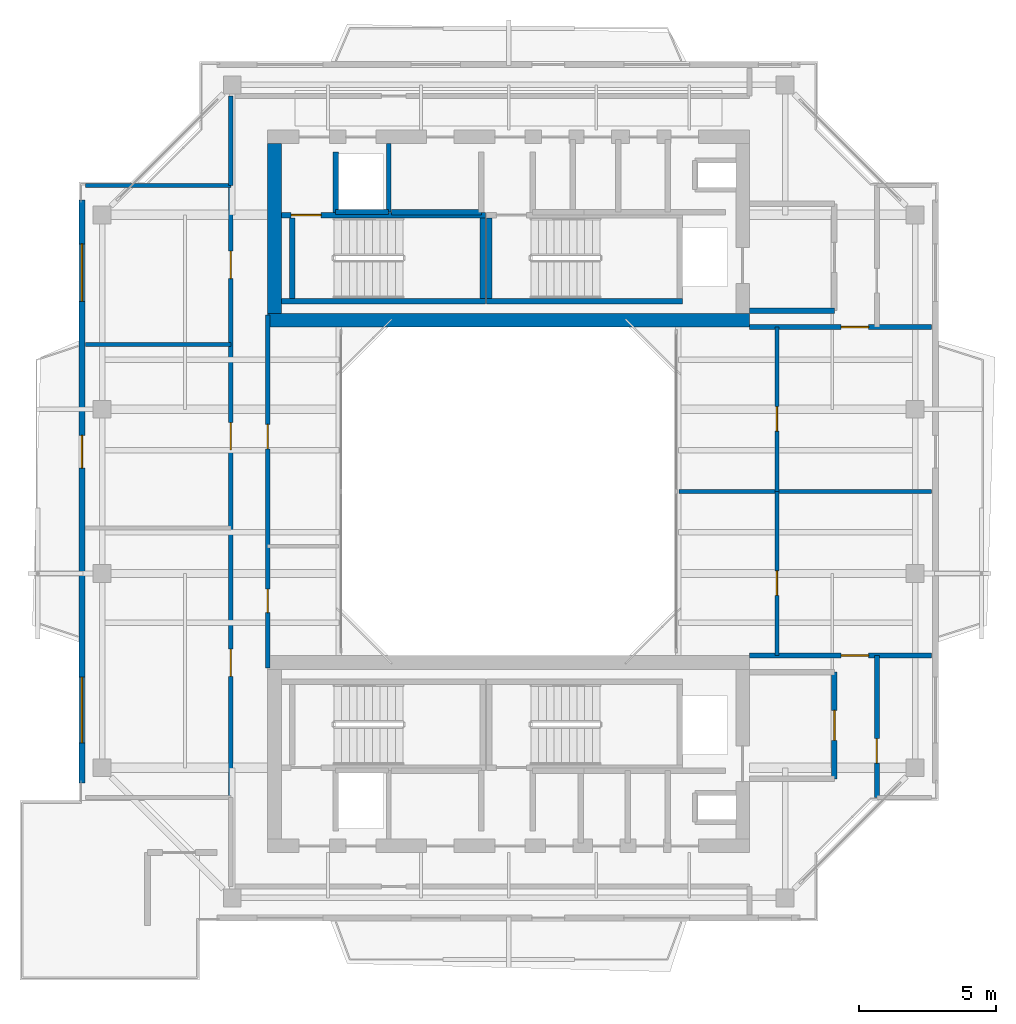
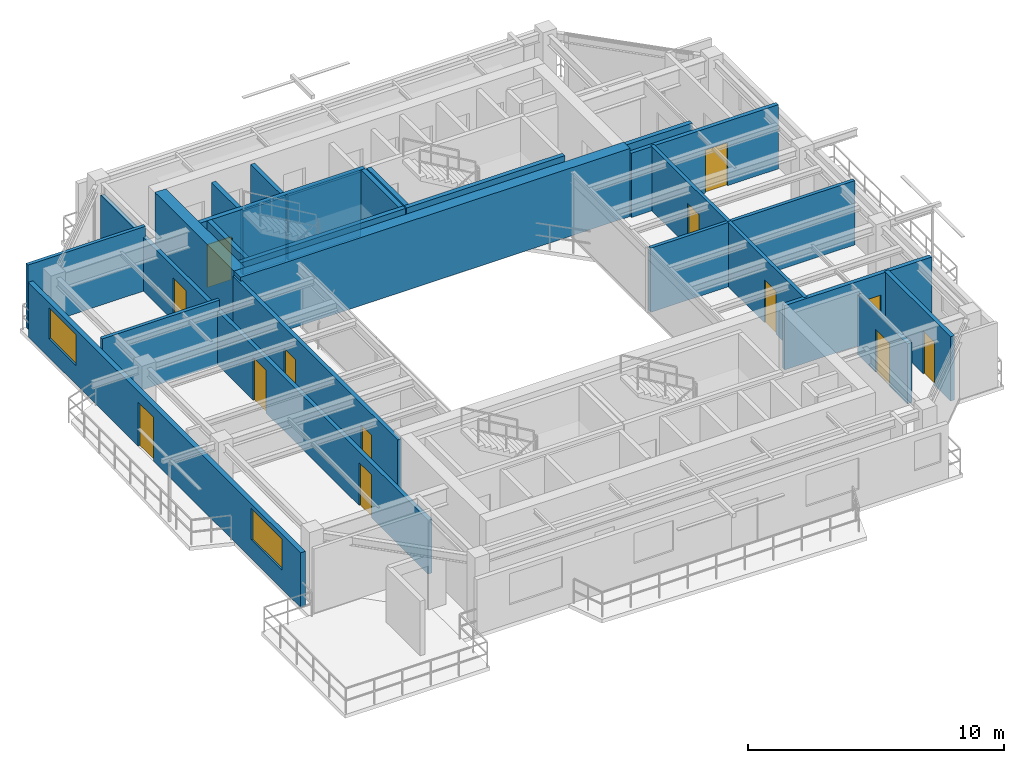
# One storey, part 9 of 14: 26 walls, 13 doors, 2 windows, 15 openings.
"""IFC4 building model written with IfcOpenShell, lengths in metres."""

from ifc_helpers import new_model, si_unit, direction, frame, frame_2d, origin, place, context, subcontext, project, spatial, rectangle, extrude, source, transform, mapped, material, layer, layer_set, type_object, element, fill, save


model = new_model("IFC4")

# Units and contexts
model_context = context("Model", 3, precision=1e-05, world=origin(), true_north=direction((0.0, 1.0)))
body_context = subcontext(model_context, "Body", "Model", "MODEL_VIEW")
ifc_project = project(units=[si_unit("LENGTHUNIT", "METRE"), si_unit("AREAUNIT", "SQUARE_METRE"), si_unit("VOLUMEUNIT", "CUBIC_METRE"), si_unit("PLANEANGLEUNIT", "RADIAN"), si_unit("MASSUNIT", "GRAM", prefix="KILO"), si_unit("THERMODYNAMICTEMPERATUREUNIT", "KELVIN"), si_unit("POWERUNIT", "WATT")], contexts=[model_context])

# Site, building, storey
site_placement = place(None, origin())
site = spatial("IfcSite", under=ifc_project, at=site_placement, CompositionType="ELEMENT")
building_placement = place(site_placement, origin())
building = spatial("IfcBuilding", under=site, at=building_placement, Name="Qiaomeng Ring Towers", CompositionType="ELEMENT")
storey_placement = place(building_placement, frame((0.0, 0.0, 243.75)))
storey = spatial("IfcBuildingStorey", under=building, at=storey_placement, Name="L71", CompositionType="ELEMENT", Elevation=243.75)

# Wall, openings, windows, door
ifc_material_1 = material(Name="Precast concrete C40", Category="concrete")
ifc_layer_1 = layer(ifc_material_1, 0.219970703125, Name="Precast concrete C40")
ifc_layer_set_1 = layer_set([ifc_layer_1], Name="Precast concrete C40")
wall_type_1 = type_object("IfcWallType", Name="ARC-WL-EW2", PredefinedType="STANDARD", material=ifc_layer_set_1)
wall_1_placement = place(storey_placement, frame((3.409912109375, 12.35009765625, 0.0), z_axis=(0.0, 0.0, 1.0), x_axis=(0.0, 1.0, 0.0)))
wall_1 = element("IfcWall", 1, at=wall_1_placement, inside=storey, type_object=wall_type_1, Name="L71 Tower 1 W Exterior Wall", PredefinedType="STANDARD", context=body_context, shape_type="SweptSolid", body=[
    extrude(rectangle(XDim=21.2998046875, YDim=0.219970703125, at=frame_2d((10.64990234375, 0.0))), origin(), (0.0, 0.0, 1.0), 2.610107421875),
])
opening_1_placement = place(wall_1_placement, frame((11.5, 0.0, 0.0)))
opening_1 = element("IfcOpeningElement", 2, at=opening_1_placement, cuts=wall_1, Name="Opening BD1", PredefinedType="OPENING", context=body_context, shape_type="SweptSolid", body=[
    extrude(rectangle(XDim=1.199951171875, YDim=2.10009765625, at=frame_2d((0.60009765625, 1.050048828125))), frame((0.0, 0.119873046875, 0.0), z_axis=(0.0, -1.0, 0.0), x_axis=(1.0, 0.0, 0.0)), (0.0, 0.0, 1.0), 0.239990234375),
])
opening_2_placement = place(wall_1_placement, frame((1.462890625, 0.0, 0.89990234375)))
opening_2 = element("IfcOpeningElement", 3, at=opening_2_placement, cuts=wall_1, Name="Opening WN6", PredefinedType="OPENING", context=body_context, shape_type="SweptSolid", body=[
    extrude(rectangle(XDim=2.39990234375, YDim=1.47998046875, at=frame_2d((1.199951171875, 0.739990234375))), frame((0.0, 0.119873046875, 0.0), z_axis=(0.0, -1.0, 0.0), x_axis=(1.0, 0.0, 0.0)), (0.0, 0.0, 1.0), 0.239990234375),
])
opening_3_placement = place(wall_1_placement, frame((17.587890625, 0.0, 0.89990234375)))
opening_3 = element("IfcOpeningElement", 4, at=opening_3_placement, cuts=wall_1, Name="Opening WN4", PredefinedType="OPENING", context=body_context, shape_type="SweptSolid", body=[
    extrude(rectangle(XDim=2.10009765625, YDim=1.47998046875, at=frame_2d((1.050048828125, 0.739990234375))), frame((0.0, 0.119873046875, 0.0), z_axis=(0.0, -1.0, 0.0), x_axis=(1.0, 0.0, 0.0)), (0.0, 0.0, 1.0), 0.239990234375),
])
ifc_material_2 = material(Name="Low-E dark-grey laminated double glazing", Category="glass")
window_type_1 = type_object("IfcWindowType", Name="ARC-WN-4", PartitioningType="TRIPLE_PANEL_VERTICAL", PredefinedType="WINDOW", material=ifc_material_2)
shared_shape_1 = source(origin(), body_context, "Body", "SweptSolid", [
    extrude(rectangle(XDim=2.10009765625, YDim=1.47998046875, at=frame_2d((1.050048828125, 0.739990234375))), frame((0.0, 0.030029296875, 0.0), z_axis=(0.0, -1.0, 0.0), x_axis=(1.0, 0.0, 0.0)), (0.0, 0.0, 1.0), 0.06005859375),
])
window_1_placement = place(opening_3_placement, origin())
window_1 = element("IfcWindow", 5, at=window_1_placement, inside=storey, type_object=window_type_1, Name="L71 Exterior Window WN4", OverallHeight=1.47998046875, OverallWidth=2.10009765625, PartitioningType="TRIPLE_PANEL_VERTICAL", PredefinedType="WINDOW", context=body_context, shape_type="MappedRepresentation", body=[
    mapped(shared_shape_1, transform((0.0, 0.0, 0.0), x_axis=(1.0, 0.0, 0.0), y_axis=(0.0, 1.0, 0.0), z_axis=(0.0, 0.0, 1.0), scale=1.0)),
])
fill(opening_3, window_1)
window_type_2 = type_object("IfcWindowType", Name="ARC-WN-6", PartitioningType="TRIPLE_PANEL_VERTICAL", PredefinedType="WINDOW", material=ifc_material_2)
shared_shape_2 = source(origin(), body_context, "Body", "SweptSolid", [
    extrude(rectangle(XDim=2.39990234375, YDim=1.47998046875, at=frame_2d((1.199951171875, 0.739990234375))), frame((0.0, 0.030029296875, 0.0), z_axis=(0.0, -1.0, 0.0), x_axis=(1.0, 0.0, 0.0)), (0.0, 0.0, 1.0), 0.06005859375),
])
window_2_placement = place(opening_2_placement, origin())
window_2 = element("IfcWindow", 6, at=window_2_placement, inside=storey, type_object=window_type_2, Name="L71 Exterior Window WN6", OverallHeight=1.47998046875, OverallWidth=2.39990234375, PartitioningType="TRIPLE_PANEL_VERTICAL", PredefinedType="WINDOW", context=body_context, shape_type="MappedRepresentation", body=[
    mapped(shared_shape_2, transform((0.0, 0.0, 0.0), x_axis=(1.0, 0.0, 0.0), y_axis=(0.0, 1.0, 0.0), z_axis=(0.0, 0.0, 1.0), scale=1.0)),
])
fill(opening_2, window_2)
door_type_1 = type_object("IfcDoorType", Name="ARC-DR-BD1", OperationType="NOTDEFINED", PredefinedType="DOOR", material=ifc_material_2)
shared_shape_3 = source(origin(), body_context, "Body", "SweptSolid", [
    extrude(rectangle(XDim=1.199951171875, YDim=2.10009765625, at=frame_2d((0.60009765625, 1.050048828125))), frame((0.0, 0.02490234375, 0.0), z_axis=(0.0, -1.0, 0.0), x_axis=(1.0, 0.0, 0.0)), (0.0, 0.0, 1.0), 0.050048828125),
])
door_1_placement = place(opening_1_placement, frame((1.199951171875, 0.0, 0.0), z_axis=(0.0, 0.0, 1.0), x_axis=(-1.0, 0.0, 0.0)))
door_1 = element("IfcDoor", 7, at=door_1_placement, inside=storey, type_object=door_type_1, Name="L71 W Balcony Glazed Door", OperationType="SINGLE_SWING_LEFT", OverallHeight=2.10009765625, OverallWidth=1.199951171875, PredefinedType="DOOR", context=body_context, shape_type="MappedRepresentation", body=[
    mapped(shared_shape_3, transform((0.0, 0.0, 0.0), x_axis=(1.0, 0.0, 0.0), y_axis=(0.0, 1.0, 0.0), z_axis=(0.0, 0.0, 1.0), scale=1.0)),
])
fill(opening_1, door_1)

# Wall
ifc_material_3 = material(Name="Autoclaved aerated concrete block", Category="concrete")
ifc_layer_2 = layer(ifc_material_3, 0.199951171875, Name="Autoclaved aerated concrete block")
ifc_layer_set_2 = layer_set([ifc_layer_2], Name="Autoclaved aerated concrete block")
wall_type_2 = type_object("IfcWallType", Name="ARC-WL-PW1", PredefinedType="PARTITIONING", material=ifc_layer_set_2)
wall_2_placement = place(storey_placement, frame((27.800048828125, 29.60009765625, 0.0), z_axis=(0.0, 0.0, 1.0), x_axis=(1.0, 0.0, 0.0)))
element("IfcWall", 8, at=wall_2_placement, inside=storey, type_object=wall_type_2, Name="L71 Interior Wall PW1", PredefinedType="PARTITIONING", context=body_context, shape_type="SweptSolid", body=[
    extrude(rectangle(XDim=3.099853515625, YDim=0.199951171875, at=frame_2d((1.5498046875, 0.0))), origin(), (0.0, 0.0, 1.0), 3.070068359375),
])

# Wall, opening, door
wall_3_placement = place(storey_placement, frame((30.89990234375, 12.5, 0.0), z_axis=(0.0, 0.0, 1.0), x_axis=(0.0, 1.0, 0.0)))
wall_3 = element("IfcWall", 9, at=wall_3_placement, inside=storey, type_object=wall_type_2, Name="L71 Interior Wall PW1", PredefinedType="PARTITIONING", context=body_context, shape_type="SweptSolid", body=[
    extrude(rectangle(XDim=3.89990234375, YDim=0.199951171875, at=frame_2d((1.949951171875, 0.0))), origin(), (0.0, 0.0, 1.0), 2.864990234375),
])
opening_4_placement = place(wall_3_placement, frame((1.39990234375, 0.0, 0.0)))
opening_4 = element("IfcOpeningElement", 10, at=opening_4_placement, cuts=wall_3, Name="Opening FD3", PredefinedType="OPENING", context=body_context, shape_type="SweptSolid", body=[
    extrude(rectangle(XDim=1.10009765625, YDim=2.050048828125, at=frame_2d((0.550048828125, 1.02490234375))), frame((0.0, 0.10986328125, 0.0), z_axis=(0.0, -1.0, 0.0), x_axis=(1.0, 0.0, 0.0)), (0.0, 0.0, 1.0), 0.219970703125),
])
ifc_material_4 = material(Name="Galvanised steel", Category="steel")
door_type_2 = type_object("IfcDoorType", Name="ARC-DR-FD3", OperationType="NOTDEFINED", PredefinedType="DOOR", material=ifc_material_4)
shared_shape_4 = source(origin(), body_context, "Body", "SweptSolid", [
    extrude(rectangle(XDim=1.10009765625, YDim=2.050048828125, at=frame_2d((0.550048828125, 1.02490234375))), frame((0.0, 0.02490234375, 0.0), z_axis=(0.0, -1.0, 0.0), x_axis=(1.0, 0.0, 0.0)), (0.0, 0.0, 1.0), 0.050048828125),
])
door_2_placement = place(opening_4_placement, origin())
door_2 = element("IfcDoor", 11, at=door_2_placement, inside=storey, type_object=door_type_2, Name="L71 South FF Lobby Door", OperationType="SINGLE_SWING_LEFT", OverallHeight=2.050048828125, OverallWidth=1.10009765625, PredefinedType="DOOR", context=body_context, shape_type="MappedRepresentation", body=[
    mapped(shared_shape_4, transform((0.0, 0.0, 0.0), x_axis=(1.0, 0.0, 0.0), y_axis=(0.0, 1.0, 0.0), z_axis=(0.0, 0.0, 1.0), scale=1.0)),
])
fill(opening_4, door_2)

# Walls
wall_4_placement = place(storey_placement, frame((12.679931640625, 33.18994140625, 0.0), z_axis=(0.0, 0.0, 1.0), x_axis=(0.0, 1.0, 0.0)))
element("IfcWall", 12, at=wall_4_placement, inside=storey, type_object=wall_type_2, Name="L71 Interior Wall PW1", PredefinedType="PARTITIONING", context=body_context, shape_type="SweptSolid", body=[
    extrude(rectangle(XDim=2.2099609375, YDim=0.199951171875, at=frame_2d((1.10498046875, 0.0))), origin(), (0.0, 0.0, 1.0), 3.070068359375),
])
wall_5_placement = place(storey_placement, frame((14.719970703125, 33.199951171875, 0.0), z_axis=(0.0, 0.0, 1.0), x_axis=(1.0, 0.0, 0.0)))
element("IfcWall", 13, at=wall_5_placement, inside=storey, type_object=wall_type_2, Name="L71 Interior Wall PW1", PredefinedType="PARTITIONING", context=body_context, shape_type="SweptSolid", body=[
    extrude(rectangle(XDim=3.280029296875, YDim=0.199951171875, at=frame_2d((1.64013671875, 0.0))), origin(), (0.0, 0.0, 1.0), 3.070068359375),
])
ifc_layer_3 = layer(ifc_material_3, 0.179931640625, Name="Autoclaved aerated concrete block")
ifc_layer_set_3 = layer_set([ifc_layer_3], Name="Autoclaved aerated concrete block")
wall_type_3 = type_object("IfcWallType", Name="ARC-WL-PW2", PredefinedType="PARTITIONING", material=ifc_layer_set_3)
wall_6_placement = place(storey_placement, frame((8.85009765625, 34.179931640625, 0.0), z_axis=(0.0, 0.0, 1.0), x_axis=(0.0, 1.0, 0.0)))
element("IfcWall", 14, at=wall_6_placement, inside=storey, type_object=wall_type_3, Name="L71 Interior Wall PW2", PredefinedType="PARTITIONING", context=body_context, shape_type="SweptSolid", body=[
    extrude(rectangle(XDim=3.260009765625, YDim=0.179931640625, at=frame_2d((1.6298828125, 0.0))), origin(), (0.0, 0.0, 1.0), 2.569091796875),
])

# Wall, openings, doors
wall_7_placement = place(storey_placement, frame((8.85009765625, 11.820068359375, 0.0), z_axis=(0.0, 0.0, 1.0), x_axis=(0.0, 1.0, 0.0)))
wall_7 = element("IfcWall", 15, at=wall_7_placement, inside=storey, type_object=wall_type_3, Name="L71 Interior Wall PW2", PredefinedType="PARTITIONING", context=body_context, shape_type="SweptSolid", body=[
    extrude(rectangle(XDim=22.35986328125, YDim=0.179931640625, at=frame_2d((11.179931640625, 0.0))), origin(), (0.0, 0.0, 1.0), 2.569091796875),
])
opening_5_placement = place(wall_7_placement, frame((4.419921875, 0.0, 0.0)))
opening_5 = element("IfcOpeningElement", 16, at=opening_5_placement, cuts=wall_7, Name="Opening FD4", PredefinedType="OPENING", context=body_context, shape_type="SweptSolid", body=[
    extrude(rectangle(XDim=1.0, YDim=2.050048828125, at=frame_2d((0.5, 1.02490234375))), frame((0.0, 0.099853515625, 0.0), z_axis=(0.0, -1.0, 0.0), x_axis=(1.0, 0.0, 0.0)), (0.0, 0.0, 1.0), 0.199951171875),
])
opening_6_placement = place(wall_7_placement, frame((12.695068359375, 0.0, 0.0)))
opening_6 = element("IfcOpeningElement", 17, at=opening_6_placement, cuts=wall_7, Name="Opening FD4", PredefinedType="OPENING", context=body_context, shape_type="SweptSolid", body=[
    extrude(rectangle(XDim=1.0, YDim=2.050048828125, at=frame_2d((0.5, 1.02490234375))), frame((0.0, 0.099853515625, 0.0), z_axis=(0.0, -1.0, 0.0), x_axis=(1.0, 0.0, 0.0)), (0.0, 0.0, 1.0), 0.199951171875),
])
opening_7_placement = place(wall_7_placement, frame((18.955078125, 0.0, 0.0)))
opening_7 = element("IfcOpeningElement", 18, at=opening_7_placement, cuts=wall_7, Name="Opening FD4", PredefinedType="OPENING", context=body_context, shape_type="SweptSolid", body=[
    extrude(rectangle(XDim=1.0, YDim=2.050048828125, at=frame_2d((0.5, 1.02490234375))), frame((0.0, 0.099853515625, 0.0), z_axis=(0.0, -1.0, 0.0), x_axis=(1.0, 0.0, 0.0)), (0.0, 0.0, 1.0), 0.199951171875),
])
ifc_material_5 = material(Name="Engineered fire-rated oak timber", Category="wood")
door_type_3 = type_object("IfcDoorType", Name="ARC-DR-FD4", OperationType="NOTDEFINED", PredefinedType="DOOR", material=ifc_material_5)
shared_shape_5 = source(origin(), body_context, "Body", "SweptSolid", [
    extrude(rectangle(XDim=1.0, YDim=2.050048828125, at=frame_2d((0.5, 1.02490234375))), frame((0.0, 0.02490234375, 0.0), z_axis=(0.0, -1.0, 0.0), x_axis=(1.0, 0.0, 0.0)), (0.0, 0.0, 1.0), 0.050048828125),
])
door_3_placement = place(opening_5_placement, origin())
door_3 = element("IfcDoor", 19, at=door_3_placement, inside=storey, type_object=door_type_3, Name="L71 Door FD4", OperationType="SINGLE_SWING_RIGHT", OverallHeight=2.050048828125, OverallWidth=1.0, PredefinedType="DOOR", context=body_context, shape_type="MappedRepresentation", body=[
    mapped(shared_shape_5, transform((0.0, 0.0, 0.0), x_axis=(1.0, 0.0, 0.0), y_axis=(0.0, 1.0, 0.0), z_axis=(0.0, 0.0, 1.0), scale=1.0)),
])
fill(opening_5, door_3)
door_4_placement = place(opening_6_placement, origin())
door_4 = element("IfcDoor", 20, at=door_4_placement, inside=storey, type_object=door_type_3, Name="L71 Door FD4", OperationType="SINGLE_SWING_LEFT", OverallHeight=2.050048828125, OverallWidth=1.0, PredefinedType="DOOR", context=body_context, shape_type="MappedRepresentation", body=[
    mapped(shared_shape_5, transform((0.0, 0.0, 0.0), x_axis=(1.0, 0.0, 0.0), y_axis=(0.0, 1.0, 0.0), z_axis=(0.0, 0.0, 1.0), scale=1.0)),
])
fill(opening_6, door_4)
door_5_placement = place(opening_7_placement, origin())
door_5 = element("IfcDoor", 21, at=door_5_placement, inside=storey, type_object=door_type_3, Name="L71 Door FD4", OperationType="SINGLE_SWING_RIGHT", OverallHeight=2.050048828125, OverallWidth=1.0, PredefinedType="DOOR", context=body_context, shape_type="MappedRepresentation", body=[
    mapped(shared_shape_5, transform((0.0, 0.0, 0.0), x_axis=(1.0, 0.0, 0.0), y_axis=(0.0, 1.0, 0.0), z_axis=(0.0, 0.0, 1.0), scale=1.0)),
])
fill(opening_7, door_5)

wall_8_placement = place(storey_placement, frame((10.199951171875, 16.550048828125, 0.0), z_axis=(0.0, 0.0, 1.0), x_axis=(0.0, 1.0, 0.0)))
wall_8 = element("IfcWall", 22, at=wall_8_placement, inside=storey, type_object=wall_type_3, Name="L71 Interior Wall PW2", PredefinedType="PARTITIONING", context=body_context, shape_type="SweptSolid", body=[
    extrude(rectangle(XDim=12.89990234375, YDim=0.179931640625, at=frame_2d((6.449951171875, 0.0))), origin(), (0.0, 0.0, 1.0), 3.070068359375),
])
opening_8_placement = place(wall_8_placement, frame((2.02490234375, 0.0, 0.0)))
opening_8 = element("IfcOpeningElement", 23, at=opening_8_placement, cuts=wall_8, Name="Opening ID2", PredefinedType="OPENING", context=body_context, shape_type="SweptSolid", body=[
    extrude(rectangle(XDim=0.85009765625, YDim=2.050048828125, at=frame_2d((0.425048828125, 1.02490234375))), frame((0.0, 0.099853515625, 0.0), z_axis=(0.0, -1.0, 0.0), x_axis=(1.0, 0.0, 0.0)), (0.0, 0.0, 1.0), 0.199951171875),
])
opening_9_placement = place(wall_8_placement, frame((8.0, 0.0, 0.0)))
opening_9 = element("IfcOpeningElement", 24, at=opening_9_placement, cuts=wall_8, Name="Opening ID1", PredefinedType="OPENING", context=body_context, shape_type="SweptSolid", body=[
    extrude(rectangle(XDim=0.89990234375, YDim=2.050048828125, at=frame_2d((0.449951171875, 1.02490234375))), frame((0.0, 0.099853515625, 0.0), z_axis=(0.0, -1.0, 0.0), x_axis=(1.0, 0.0, 0.0)), (0.0, 0.0, 1.0), 0.199951171875),
])
ifc_material_6 = material(Name="Moisture-resistant engineered timber", Category="wood")
door_type_4 = type_object("IfcDoorType", Name="ARC-DR-ID2", OperationType="NOTDEFINED", PredefinedType="DOOR", material=ifc_material_6)
shared_shape_6 = source(origin(), body_context, "Body", "SweptSolid", [
    extrude(rectangle(XDim=0.85009765625, YDim=2.050048828125, at=frame_2d((0.425048828125, 1.02490234375))), frame((0.0, 0.02490234375, 0.0), z_axis=(0.0, -1.0, 0.0), x_axis=(1.0, 0.0, 0.0)), (0.0, 0.0, 1.0), 0.050048828125),
])
door_6_placement = place(opening_8_placement, origin())
door_6 = element("IfcDoor", 25, at=door_6_placement, inside=storey, type_object=door_type_4, Name="L71 Door ID2", OperationType="SINGLE_SWING_LEFT", OverallHeight=2.050048828125, OverallWidth=0.85009765625, PredefinedType="DOOR", context=body_context, shape_type="MappedRepresentation", body=[
    mapped(shared_shape_6, transform((0.0, 0.0, 0.0), x_axis=(1.0, 0.0, 0.0), y_axis=(0.0, 1.0, 0.0), z_axis=(0.0, 0.0, 1.0), scale=1.0)),
])
fill(opening_8, door_6)
ifc_material_7 = material(Name="Engineered oak timber", Category="wood")
door_type_5 = type_object("IfcDoorType", Name="ARC-DR-ID1", OperationType="NOTDEFINED", PredefinedType="DOOR", material=ifc_material_7)
shared_shape_7 = source(origin(), body_context, "Body", "SweptSolid", [
    extrude(rectangle(XDim=0.89990234375, YDim=2.050048828125, at=frame_2d((0.449951171875, 1.02490234375))), frame((0.0, 0.02490234375, 0.0), z_axis=(0.0, -1.0, 0.0), x_axis=(1.0, 0.0, 0.0)), (0.0, 0.0, 1.0), 0.050048828125),
])
door_7_placement = place(opening_9_placement, origin())
door_7 = element("IfcDoor", 26, at=door_7_placement, inside=storey, type_object=door_type_5, Name="L71 Door ID1", OperationType="SINGLE_SWING_RIGHT", OverallHeight=2.050048828125, OverallWidth=0.89990234375, PredefinedType="DOOR", context=body_context, shape_type="MappedRepresentation", body=[
    mapped(shared_shape_7, transform((0.0, 0.0, 0.0), x_axis=(1.0, 0.0, 0.0), y_axis=(0.0, 1.0, 0.0), z_axis=(0.0, 0.0, 1.0), scale=1.0)),
])
fill(opening_9, door_7)

# Wall, opening, door
wall_9_placement = place(storey_placement, frame((27.800048828125, 17.0, 0.0), z_axis=(0.0, 0.0, 1.0), x_axis=(1.0, 0.0, 0.0)))
wall_9 = element("IfcWall", 27, at=wall_9_placement, inside=storey, type_object=wall_type_3, Name="L71 Interior Wall PW2", PredefinedType="PARTITIONING", context=body_context, shape_type="SweptSolid", body=[
    extrude(rectangle(XDim=6.64990234375, YDim=0.179931640625, at=frame_2d((3.324951171875, 0.0))), origin(), (0.0, 0.0, 1.0), 3.070068359375),
])
opening_10_placement = place(wall_9_placement, frame((3.35009765625, 0.0, 0.0)))
opening_10 = element("IfcOpeningElement", 28, at=opening_10_placement, cuts=wall_9, Name="Opening FD4", PredefinedType="OPENING", context=body_context, shape_type="SweptSolid", body=[
    extrude(rectangle(XDim=1.0, YDim=2.050048828125, at=frame_2d((0.5, 1.02490234375))), frame((0.0, 0.099853515625, 0.0), z_axis=(0.0, -1.0, 0.0), x_axis=(1.0, 0.0, 0.0)), (0.0, 0.0, 1.0), 0.199951171875),
])
door_8_placement = place(opening_10_placement, origin())
door_8 = element("IfcDoor", 29, at=door_8_placement, inside=storey, type_object=door_type_3, Name="L71 Door FD4", OperationType="SINGLE_SWING_LEFT", OverallHeight=2.050048828125, OverallWidth=1.0, PredefinedType="DOOR", context=body_context, shape_type="MappedRepresentation", body=[
    mapped(shared_shape_5, transform((0.0, 0.0, 0.0), x_axis=(1.0, 0.0, 0.0), y_axis=(0.0, 1.0, 0.0), z_axis=(0.0, 0.0, 1.0), scale=1.0)),
])
fill(opening_10, door_8)

wall_10_placement = place(storey_placement, frame((27.800048828125, 29.0, 0.0), z_axis=(0.0, 0.0, 1.0), x_axis=(1.0, 0.0, 0.0)))
wall_10 = element("IfcWall", 30, at=wall_10_placement, inside=storey, type_object=wall_type_3, Name="L71 Interior Wall PW2", PredefinedType="PARTITIONING", context=body_context, shape_type="SweptSolid", body=[
    extrude(rectangle(XDim=6.64990234375, YDim=0.179931640625, at=frame_2d((3.324951171875, 0.0))), origin(), (0.0, 0.0, 1.0), 3.070068359375),
])
opening_11_placement = place(wall_10_placement, frame((3.35009765625, 0.0, 0.0)))
opening_11 = element("IfcOpeningElement", 31, at=opening_11_placement, cuts=wall_10, Name="Opening FD4", PredefinedType="OPENING", context=body_context, shape_type="SweptSolid", body=[
    extrude(rectangle(XDim=1.0, YDim=2.050048828125, at=frame_2d((0.5, 1.02490234375))), frame((0.0, 0.099853515625, 0.0), z_axis=(0.0, -1.0, 0.0), x_axis=(1.0, 0.0, 0.0)), (0.0, 0.0, 1.0), 0.199951171875),
])
door_9_placement = place(opening_11_placement, origin())
door_9 = element("IfcDoor", 32, at=door_9_placement, inside=storey, type_object=door_type_3, Name="L71 Door FD4", OperationType="SINGLE_SWING_RIGHT", OverallHeight=2.050048828125, OverallWidth=1.0, PredefinedType="DOOR", context=body_context, shape_type="MappedRepresentation", body=[
    mapped(shared_shape_5, transform((0.0, 0.0, 0.0), x_axis=(1.0, 0.0, 0.0), y_axis=(0.0, 1.0, 0.0), z_axis=(0.0, 0.0, 1.0), scale=1.0)),
])
fill(opening_11, door_9)

wall_11_placement = place(storey_placement, frame((32.449951171875, 11.820068359375, 0.0), z_axis=(0.0, 0.0, 1.0), x_axis=(0.0, 1.0, 0.0)))
wall_11 = element("IfcWall", 33, at=wall_11_placement, inside=storey, type_object=wall_type_3, Name="L71 Interior Wall PW2", PredefinedType="PARTITIONING", context=body_context, shape_type="SweptSolid", body=[
    extrude(rectangle(XDim=5.179931640625, YDim=0.179931640625, at=frame_2d((2.58984375, 0.0))), origin(), (0.0, 0.0, 1.0), 3.070068359375),
])
opening_12_placement = place(wall_11_placement, frame((1.25, 0.0, 0.0)))
opening_12 = element("IfcOpeningElement", 34, at=opening_12_placement, cuts=wall_11, Name="Opening ID1", PredefinedType="OPENING", context=body_context, shape_type="SweptSolid", body=[
    extrude(rectangle(XDim=0.89990234375, YDim=2.050048828125, at=frame_2d((0.449951171875, 1.02490234375))), frame((0.0, 0.099853515625, 0.0), z_axis=(0.0, -1.0, 0.0), x_axis=(1.0, 0.0, 0.0)), (0.0, 0.0, 1.0), 0.199951171875),
])
door_10_placement = place(opening_12_placement, origin())
door_10 = element("IfcDoor", 35, at=door_10_placement, inside=storey, type_object=door_type_5, Name="L71 Door ID1", OperationType="SINGLE_SWING_RIGHT", OverallHeight=2.050048828125, OverallWidth=0.89990234375, PredefinedType="DOOR", context=body_context, shape_type="MappedRepresentation", body=[
    mapped(shared_shape_7, transform((0.0, 0.0, 0.0), x_axis=(1.0, 0.0, 0.0), y_axis=(0.0, 1.0, 0.0), z_axis=(0.0, 0.0, 1.0), scale=1.0)),
])
fill(opening_12, door_10)

# Walls
ifc_material_8 = material(Name="Gypsum fireboard steel-stud partition", Category="steel")
ifc_layer_4 = layer(ifc_material_8, 0.14990234375, Name="Gypsum fireboard steel-stud partition")
ifc_layer_set_4 = layer_set([ifc_layer_4], Name="Gypsum fireboard steel-stud partition")
wall_type_4 = type_object("IfcWallType", Name="ARC-WL-PW3", PredefinedType="PARTITIONING", material=ifc_layer_set_4)
for number, where, z_axis, x_axis, name in (
    (36, (3.550048828125, 34.179931640625, 0.0), (0.0, 0.0, 1.0), (1.0, 0.0, 0.0), "L71 Interior Wall PW3"),
    (37, (3.550048828125, 28.3701171875, 0.0), (0.0, 0.0, 1.0), (1.0, 0.0, 0.0), "L71 Interior Wall PW3"),
):
    element("IfcWall", number, at=place(storey_placement, frame(where, z_axis=z_axis, x_axis=x_axis)), inside=storey, type_object=wall_type_4, Name=name, PredefinedType="PARTITIONING", context=body_context, shape_type="SweptSolid", body=[
        extrude(rectangle(XDim=5.300048828125, YDim=0.14990234375, at=frame_2d((2.64990234375, 0.0))), origin(), (0.0, 0.0, 1.0), 3.070068359375),
    ])

# Wall, opening, door
wall_12_placement = place(storey_placement, frame((28.800048828125, 17.0, 0.0), z_axis=(0.0, 0.0, 1.0), x_axis=(0.0, 1.0, 0.0)))
wall_12 = element("IfcWall", 38, at=wall_12_placement, inside=storey, type_object=wall_type_4, Name="L71 Interior Wall PW3", PredefinedType="PARTITIONING", context=body_context, shape_type="SweptSolid", body=[
    extrude(rectangle(XDim=6.0, YDim=0.14990234375, at=frame_2d((3.0, 0.0))), origin(), (0.0, 0.0, 1.0), 3.070068359375),
])
opening_13_placement = place(wall_12_placement, frame((2.199951171875, 0.0, 0.0)))
opening_13 = element("IfcOpeningElement", 39, at=opening_13_placement, cuts=wall_12, Name="Opening ID1", PredefinedType="OPENING", context=body_context, shape_type="SweptSolid", body=[
    extrude(rectangle(XDim=0.89990234375, YDim=2.050048828125, at=frame_2d((0.449951171875, 1.02490234375))), frame((0.0, 0.0849609375, 0.0), z_axis=(0.0, -1.0, 0.0), x_axis=(1.0, 0.0, 0.0)), (0.0, 0.0, 1.0), 0.169921875),
])
door_11_placement = place(opening_13_placement, origin())
door_11 = element("IfcDoor", 40, at=door_11_placement, inside=storey, type_object=door_type_5, Name="L71 Door ID1", OperationType="SINGLE_SWING_LEFT", OverallHeight=2.050048828125, OverallWidth=0.89990234375, PredefinedType="DOOR", context=body_context, shape_type="MappedRepresentation", body=[
    mapped(shared_shape_7, transform((0.0, 0.0, 0.0), x_axis=(1.0, 0.0, 0.0), y_axis=(0.0, 1.0, 0.0), z_axis=(0.0, 0.0, 1.0), scale=1.0)),
])
fill(opening_13, door_11)

wall_13_placement = place(storey_placement, frame((28.800048828125, 23.0, 0.0), z_axis=(0.0, 0.0, 1.0), x_axis=(0.0, 1.0, 0.0)))
wall_13 = element("IfcWall", 41, at=wall_13_placement, inside=storey, type_object=wall_type_4, Name="L71 Interior Wall PW3", PredefinedType="PARTITIONING", context=body_context, shape_type="SweptSolid", body=[
    extrude(rectangle(XDim=6.0, YDim=0.14990234375, at=frame_2d((3.0, 0.0))), origin(), (0.0, 0.0, 1.0), 3.070068359375),
])
opening_14_placement = place(wall_13_placement, frame((2.199951171875, 0.0, 0.0)))
opening_14 = element("IfcOpeningElement", 42, at=opening_14_placement, cuts=wall_13, Name="Opening ID1", PredefinedType="OPENING", context=body_context, shape_type="SweptSolid", body=[
    extrude(rectangle(XDim=0.89990234375, YDim=2.050048828125, at=frame_2d((0.449951171875, 1.02490234375))), frame((0.0, 0.0849609375, 0.0), z_axis=(0.0, -1.0, 0.0), x_axis=(1.0, 0.0, 0.0)), (0.0, 0.0, 1.0), 0.169921875),
])
door_12_placement = place(opening_14_placement, origin())
door_12 = element("IfcDoor", 43, at=door_12_placement, inside=storey, type_object=door_type_5, Name="L71 Door ID1", OperationType="SINGLE_SWING_RIGHT", OverallHeight=2.050048828125, OverallWidth=0.89990234375, PredefinedType="DOOR", context=body_context, shape_type="MappedRepresentation", body=[
    mapped(shared_shape_7, transform((0.0, 0.0, 0.0), x_axis=(1.0, 0.0, 0.0), y_axis=(0.0, 1.0, 0.0), z_axis=(0.0, 0.0, 1.0), scale=1.0)),
])
fill(opening_14, door_12)

# Walls
wall_14_placement = place(storey_placement, frame((25.219970703125, 23.0, 0.0), z_axis=(0.0, 0.0, 1.0), x_axis=(1.0, 0.0, 0.0)))
element("IfcWall", 44, at=wall_14_placement, inside=storey, type_object=wall_type_4, Name="L71 Interior Wall PW3", PredefinedType="PARTITIONING", context=body_context, shape_type="SweptSolid", body=[
    extrude(rectangle(XDim=9.22998046875, YDim=0.14990234375, at=frame_2d((4.614990234375, 0.0))), origin(), (0.0, 0.0, 1.0), 3.070068359375),
])
ifc_material_9 = material(Name="Concrete C40", Category="concrete")
ifc_layer_5 = layer(ifc_material_9, 0.199951171875, Name="Concrete C40")
ifc_layer_set_5 = layer_set([ifc_layer_5], Name="Concrete C40")
wall_type_5 = type_object("IfcWallType", Name="STR-WL-STSHAFT", PredefinedType="SHEAR", material=ifc_layer_set_5)
wall_15_placement = place(storey_placement, frame((12.679931640625, 33.199951171875, 0.0), z_axis=(0.0, 0.0, 1.0), x_axis=(1.0, 0.0, 0.0)))
element("IfcWall", 45, at=wall_15_placement, inside=storey, type_object=wall_type_5, Name="L71 Lift LP5 Shaft Back Wall", PredefinedType="SHEAR", context=body_context, shape_type="SweptSolid", body=[
    extrude(rectangle(XDim=1.940185546875, YDim=0.179931640625, at=frame_2d((0.97021484375, 0.0))), origin(), (0.0, 0.0, 1.0), 3.070068359375),
])
wall_16_placement = place(storey_placement, frame((14.6201171875, 33.199951171875, 0.0), z_axis=(0.0, 0.0, 1.0), x_axis=(0.0, 1.0, 0.0)))
element("IfcWall", 46, at=wall_16_placement, inside=storey, type_object=wall_type_5, Name="L71 Lift LP5-LP3 Shaft Divider Wall", PredefinedType="SHEAR", context=body_context, shape_type="SweptSolid", body=[
    extrude(rectangle(XDim=2.5, YDim=0.179931640625, at=frame_2d((1.25, 0.0))), origin(), (0.0, 0.0, 1.0), 3.070068359375),
])
wall_17_placement = place(storey_placement, frame((10.699951171875, 29.949951171875, 0.0), z_axis=(0.0, 0.0, 1.0), x_axis=(1.0, 0.0, 0.0)))
element("IfcWall", 47, at=wall_17_placement, inside=storey, type_object=wall_type_5, Name="L71 Stair ST1 South Shaft Shear Wall", PredefinedType="SHEAR", context=body_context, shape_type="SweptSolid", body=[
    extrude(rectangle(XDim=7.449951171875, YDim=0.199951171875, at=frame_2d((3.72509765625, 0.0))), origin(), (0.0, 0.0, 1.0), 3.25),
])

# Wall, opening, door
wall_18_placement = place(storey_placement, frame((10.699951171875, 33.090087890625, 0.0), z_axis=(0.0, 0.0, 1.0), x_axis=(1.0, 0.0, 0.0)))
wall_18 = element("IfcWall", 48, at=wall_18_placement, inside=storey, type_object=wall_type_5, Name="L71 Stair ST1 North Shaft Shear Wall", PredefinedType="SHEAR", context=body_context, shape_type="SweptSolid", body=[
    extrude(rectangle(XDim=7.449951171875, YDim=0.199951171875, at=frame_2d((3.72509765625, 0.0))), origin(), (0.0, 0.0, 1.0), 3.25),
])
opening_15_placement = place(wall_18_placement, frame((0.35009765625, 0.0, 0.0)))
opening_15 = element("IfcOpeningElement", 49, at=opening_15_placement, cuts=wall_18, Name="Opening FD3", PredefinedType="OPENING", context=body_context, shape_type="SweptSolid", body=[
    extrude(rectangle(XDim=1.10009765625, YDim=2.050048828125, at=frame_2d((0.550048828125, 1.02490234375))), frame((0.0, 0.10986328125, 0.0), z_axis=(0.0, -1.0, 0.0), x_axis=(1.0, 0.0, 0.0)), (0.0, 0.0, 1.0), 0.219970703125),
])
door_13_placement = place(opening_15_placement, origin())
door_13 = element("IfcDoor", 50, at=door_13_placement, inside=storey, type_object=door_type_2, Name="L71 Stair ST1 Exit Door", OperationType="SINGLE_SWING_LEFT", OverallHeight=2.050048828125, OverallWidth=1.10009765625, PredefinedType="DOOR", context=body_context, shape_type="MappedRepresentation", body=[
    mapped(shared_shape_4, transform((0.0, 0.0, 0.0), x_axis=(1.0, 0.0, 0.0), y_axis=(0.0, 1.0, 0.0), z_axis=(0.0, 0.0, 1.0), scale=1.0)),
])
fill(opening_15, door_13)

# Walls
for number, where, z_axis, x_axis, name in (
    (51, (11.10009765625, 30.050048828125, 0.0), (0.0, 0.0, 1.0), (0.0, 1.0, 0.0), "L71 Stair ST1 West Shaft Shear Wall"),
    (52, (18.050048828125, 30.050048828125, 0.0), (0.0, 0.0, 1.0), (0.0, 1.0, 0.0), "L71 Stair ST1 East Shaft Shear Wall"),
):
    element("IfcWall", number, at=place(storey_placement, frame(where, z_axis=z_axis, x_axis=x_axis)), inside=storey, type_object=wall_type_5, Name=name, PredefinedType="SHEAR", context=body_context, shape_type="SweptSolid", body=[
        extrude(rectangle(XDim=2.93994140625, YDim=0.199951171875, at=frame_2d((1.469970703125, 0.0))), origin(), (0.0, 0.0, 1.0), 3.25),
    ])
wall_19_placement = place(storey_placement, frame((18.199951171875, 29.949951171875, 0.0), z_axis=(0.0, 0.0, 1.0), x_axis=(1.0, 0.0, 0.0)))
element("IfcWall", 53, at=wall_19_placement, inside=storey, type_object=wall_type_5, Name="L71 Stair ST2 South Shaft Shear Wall", PredefinedType="SHEAR", context=body_context, shape_type="SweptSolid", body=[
    extrude(rectangle(XDim=7.150146484375, YDim=0.199951171875, at=frame_2d((3.5751953125, 0.0))), origin(), (0.0, 0.0, 1.0), 3.25),
])
wall_20_placement = place(storey_placement, frame((18.300048828125, 30.050048828125, 0.0), z_axis=(0.0, 0.0, 1.0), x_axis=(0.0, 1.0, 0.0)))
element("IfcWall", 54, at=wall_20_placement, inside=storey, type_object=wall_type_5, Name="L71 Stair ST2 West Shaft Shear Wall", PredefinedType="SHEAR", context=body_context, shape_type="SweptSolid", body=[
    extrude(rectangle(XDim=2.93994140625, YDim=0.199951171875, at=frame_2d((1.469970703125, 0.0))), origin(), (0.0, 0.0, 1.0), 3.25),
])
ifc_layer_6 = layer(ifc_material_9, 0.5, Name="Concrete C40")
ifc_layer_set_6 = layer_set([ifc_layer_6], Name="Concrete C40")
wall_type_6 = type_object("IfcWallType", Name="STR-WL-SW3", PredefinedType="SHEAR", material=ifc_layer_set_6)
wall_21_placement = place(storey_placement, frame((10.199951171875, 29.25, 0.0), z_axis=(0.0, 0.0, 1.0), x_axis=(1.0, 0.0, 0.0)))
element("IfcWall", 55, at=wall_21_placement, inside=storey, type_object=wall_type_6, Name="L71 T1NC south core shear wall", PredefinedType="SHEAR", context=body_context, shape_type="SweptSolid", body=[
    extrude(rectangle(XDim=17.60009765625, YDim=0.5, at=frame_2d((8.800048828125, 0.0))), origin(), (0.0, 0.0, 1.0), 3.25),
])
wall_22_placement = place(storey_placement, frame((10.449951171875, 29.5, 0.0), z_axis=(0.0, 0.0, 1.0), x_axis=(0.0, 1.0, 0.0)))
element("IfcWall", 56, at=wall_22_placement, inside=storey, type_object=wall_type_6, Name="L71 T1NC west core shear wall", PredefinedType="SHEAR", context=body_context, shape_type="SweptSolid", body=[
    extrude(rectangle(XDim=6.199951171875, YDim=0.5, at=frame_2d((3.10009765625, 0.0))), origin(), (0.0, 0.0, 1.0), 3.25),
])

save(model, "model.ifc")
